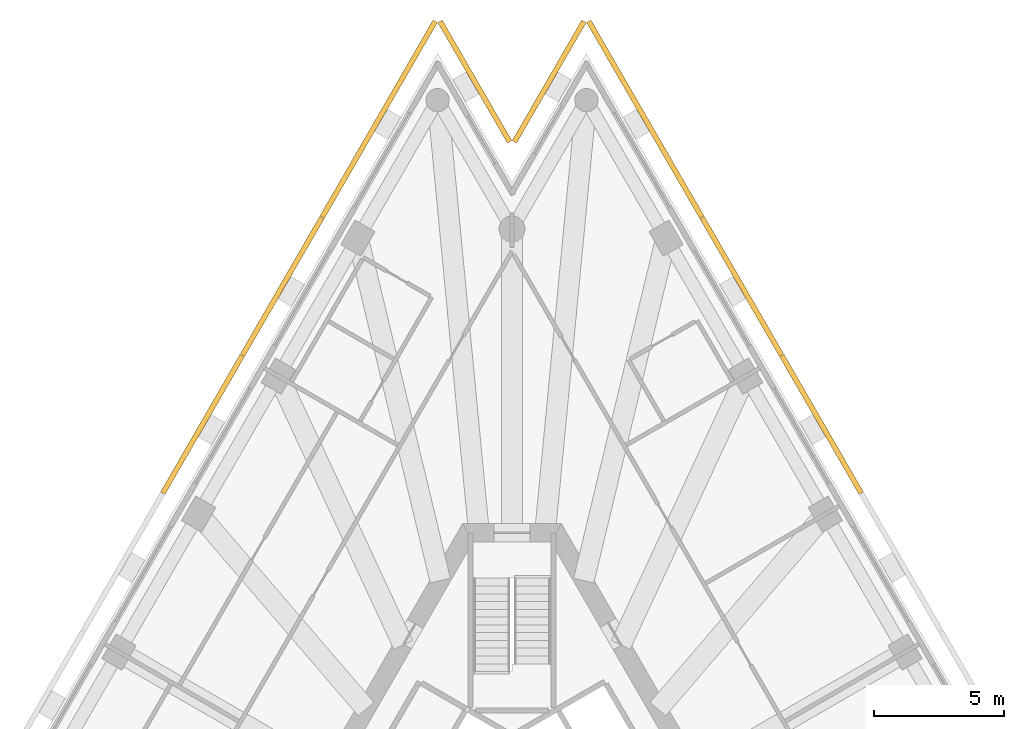
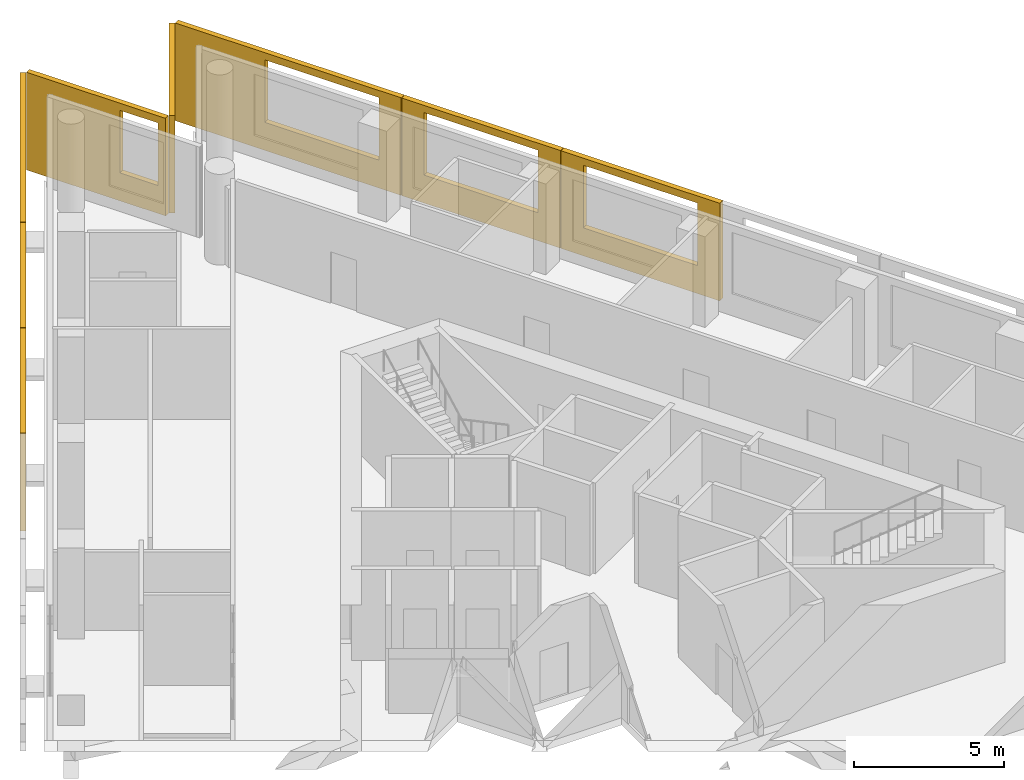
# One storey, part 9 of 9: 8 shading devices.
"""IFC4 building model written with IfcOpenShell, lengths in metres."""

from ifc_helpers import new_model, si_unit, direction, frame, origin, place, context, subcontext, project, spatial, polyline, outline, extrude, material, layer, layer_set, type_object, element, save


model = new_model("IFC4")

# Units and contexts
model_context = context("Model", 3, precision=1e-05, world=origin(), true_north=direction((0.0, 1.0)))
body_context = subcontext(model_context, "Body", "Model", "MODEL_VIEW")
ifc_project = project(units=[si_unit("LENGTHUNIT", "METRE"), si_unit("AREAUNIT", "SQUARE_METRE"), si_unit("VOLUMEUNIT", "CUBIC_METRE"), si_unit("PLANEANGLEUNIT", "RADIAN"), si_unit("MASSUNIT", "GRAM", prefix="KILO")], contexts=[model_context])

# Site, building, storey
site_placement = place(None, origin())
site = spatial("IfcSite", under=ifc_project, at=site_placement, CompositionType="ELEMENT")
building_placement = place(site_placement, origin())
building = spatial("IfcBuilding", under=site, at=building_placement, Name="Triada Interchange Tower", CompositionType="ELEMENT")
storey_placement = place(building_placement, frame((0.0, 0.0, 207.300048828125)))
storey = spatial("IfcBuildingStorey", under=building, at=storey_placement, Name="L48", CompositionType="ELEMENT", Elevation=207.300048828125)

# Shading devices
ifc_material = material(Name="Concrete C50/60 precast", Category="concrete")
ifc_layer_1 = layer(ifc_material, 0.02001953125, Name="Exposed aggregate face")
ifc_layer_2 = layer(ifc_material, 0.179931640625, Name="Precast concrete screen")
ifc_layer_set = layer_set([ifc_layer_1, ifc_layer_2], Name="Outer skin screen panel 3980")
shading_device_type = type_object("IfcShadingDeviceType", Name="Outer skin screen panel 3980", PredefinedType="SHUTTER", material=ifc_layer_set)
shading_device_1_placement = place(storey_placement, frame((-2.8740234375, 33.02587890625, -0.2900390625), z_axis=(0.0, 0.0, 1.0), x_axis=(-0.500031800419, -0.866007043025, 0.0)))
element("IfcShadingDevice", 1, at=shading_device_1_placement, inside=storey, type_object=shading_device_type, Name="Outer skin screen panel L48 01", PredefinedType="SHUTTER", context=body_context, shape_type="SweptSolid", body=[
    extrude(outline(polyline([(0.0, 0.0), (8.7216796875, 0.0), (8.7216796875, 3.97998046875), (0.0, 3.97998046875), (0.0, 0.0)]), holes=[polyline([(3.460693359375, 1.139892578125), (3.460693359375, 3.68994140625), (7.860595703125, 3.68994140625), (7.860595703125, 1.139892578125), (3.460693359375, 1.139892578125)])]), frame((0.0, 0.0, 0.0), z_axis=(0.0, -1.0, 0.0), x_axis=(1.0, 0.0, 0.0)), (0.0, 0.0, 1.0), 0.199951171875),
])
shading_device_2_placement = place(storey_placement, frame((-7.2451171875, 25.455078125, -0.2900390625), z_axis=(0.0, 0.0, 1.0), x_axis=(-0.500011207537, -0.866018933013, 0.0)))
element("IfcShadingDevice", 2, at=shading_device_2_placement, inside=storey, type_object=shading_device_type, Name="Outer skin screen panel L48 02", PredefinedType="SHUTTER", context=body_context, shape_type="SweptSolid", body=[
    extrude(outline(polyline([(0.0, 0.0), (6.123291015625, 0.0), (6.123291015625, 3.97998046875), (0.0, 3.97998046875), (0.0, 0.0)]), holes=[polyline([(0.8623046875, 1.139892578125), (0.8623046875, 3.68994140625), (5.26220703125, 3.68994140625), (5.26220703125, 1.139892578125), (0.8623046875, 1.139892578125)])]), frame((0.0, 0.0, 0.0), z_axis=(0.0, -1.0, 0.0), x_axis=(1.0, 0.0, 0.0)), (0.0, 0.0, 1.0), 0.199951171875),
])
for number, where, z_axis, x_axis, name in (
    (3, (-10.31689453125, 20.134033203125, -0.2900390625), (0.0, 0.0, 1.0), (-0.500041108788, -0.866001668314, 0.0), "Outer skin screen panel L48 03"),
    (4, (13.37890625, 14.8310546875, -0.2900390625), (0.0, 0.0, 1.0), (-0.500041108788, 0.866001668314, 0.0), "Outer skin screen panel L48 26"),
):
    element("IfcShadingDevice", number, at=place(storey_placement, frame(where, z_axis=z_axis, x_axis=x_axis)), inside=storey, type_object=shading_device_type, Name=name, PredefinedType="SHUTTER", context=body_context, shape_type="SweptSolid", body=[
        extrude(outline(polyline([(0.0, 0.0), (6.12353515625, 0.0), (6.12353515625, 3.97998046875), (0.0, 3.97998046875), (0.0, 0.0)]), holes=[polyline([(0.8623046875, 1.139892578125), (0.8623046875, 3.68994140625), (5.26220703125, 3.68994140625), (5.26220703125, 1.139892578125), (0.8623046875, 1.139892578125)])]), frame((0.0, 0.0, 0.0), z_axis=(0.0, -1.0, 0.0), x_axis=(1.0, 0.0, 0.0)), (0.0, 0.0, 1.0), 0.199951171875),
    ])
shading_device_3_placement = place(storey_placement, frame((10.306884765625, 20.152099609375, -0.2900390625), z_axis=(0.0, 0.0, 1.0), x_axis=(-0.500011207537, 0.866018933013, 0.0)))
element("IfcShadingDevice", 5, at=shading_device_3_placement, inside=storey, type_object=shading_device_type, Name="Outer skin screen panel L48 27", PredefinedType="SHUTTER", context=body_context, shape_type="SweptSolid", body=[
    extrude(outline(polyline([(0.0, 0.0), (6.123291015625, 0.0), (6.123291015625, 3.97998046875), (0.0, 3.97998046875), (0.0, 0.0)]), holes=[polyline([(0.862060546875, 1.139892578125), (0.862060546875, 3.68994140625), (5.26220703125, 3.68994140625), (5.26220703125, 1.139892578125), (0.862060546875, 1.139892578125)])]), frame((0.0, 0.0, 0.0), z_axis=(0.0, -1.0, 0.0), x_axis=(1.0, 0.0, 0.0)), (0.0, 0.0, 1.0), 0.199951171875),
])
shading_device_4_placement = place(storey_placement, frame((7.235107421875, 25.472900390625, -0.2900390625), z_axis=(0.0, 0.0, 1.0), x_axis=(-0.500031800419, 0.866007043025, 0.0)))
element("IfcShadingDevice", 6, at=shading_device_4_placement, inside=storey, type_object=shading_device_type, Name="Outer skin screen panel L48 28", PredefinedType="SHUTTER", context=body_context, shape_type="SweptSolid", body=[
    extrude(outline(polyline([(0.0, 0.0), (8.7216796875, 0.0), (8.7216796875, 3.97998046875), (0.0, 3.97998046875), (0.0, 0.0)]), holes=[polyline([(0.86181640625, 1.139892578125), (0.86181640625, 3.68994140625), (5.261962890625, 3.68994140625), (5.261962890625, 1.139892578125), (0.86181640625, 1.139892578125)])]), frame((0.0, 0.0, 0.0), z_axis=(0.0, -1.0, 0.0), x_axis=(1.0, 0.0, 0.0)), (0.0, 0.0, 1.0), 0.199951171875),
])
shading_device_5_placement = place(storey_placement, frame((2.864013671875, 33.02587890625, -0.2900390625), z_axis=(0.0, 0.0, 1.0), x_axis=(-0.500197305346, -0.865911459518, 0.0)))
element("IfcShadingDevice", 7, at=shading_device_5_placement, inside=storey, type_object=shading_device_type, Name="Outer skin screen panel L48 29", PredefinedType="SHUTTER", context=body_context, shape_type="SweptSolid", body=[
    extrude(outline(polyline([(0.0, 0.0), (5.369873046875, 0.0), (5.369873046875, 3.97998046875), (0.0, 3.97998046875), (0.0, 0.0)]), holes=[polyline([(3.175537109375, 1.139892578125), (3.175537109375, 3.68994140625), (5.070556640625, 3.68994140625), (5.070556640625, 1.139892578125), (3.175537109375, 1.139892578125)])]), frame((0.0, 0.0, 0.0), z_axis=(0.0, -1.0, 0.0), x_axis=(1.0, 0.0, 0.0)), (0.0, 0.0, 1.0), 0.199951171875),
])
shading_device_6_placement = place(storey_placement, frame((-0.177978515625, 28.3759765625, -0.2900390625), z_axis=(0.0, 0.0, 1.0), x_axis=(-0.500197305346, 0.865911459518, 0.0)))
element("IfcShadingDevice", 8, at=shading_device_6_placement, inside=storey, type_object=shading_device_type, Name="Outer skin screen panel L48 30", PredefinedType="SHUTTER", context=body_context, shape_type="SweptSolid", body=[
    extrude(outline(polyline([(0.0, 0.0), (5.369873046875, 0.0), (5.369873046875, 3.97998046875), (0.0, 3.97998046875), (0.0, 0.0)]), holes=[polyline([(0.300048828125, 1.139892578125), (0.300048828125, 3.68994140625), (1.758056640625, 3.68994140625), (1.758056640625, 1.139892578125), (0.300048828125, 1.139892578125)])]), frame((0.0, 0.0, 0.0), z_axis=(0.0, -1.0, 0.0), x_axis=(1.0, 0.0, 0.0)), (0.0, 0.0, 1.0), 0.199951171875),
])

save(model, "model.ifc")
